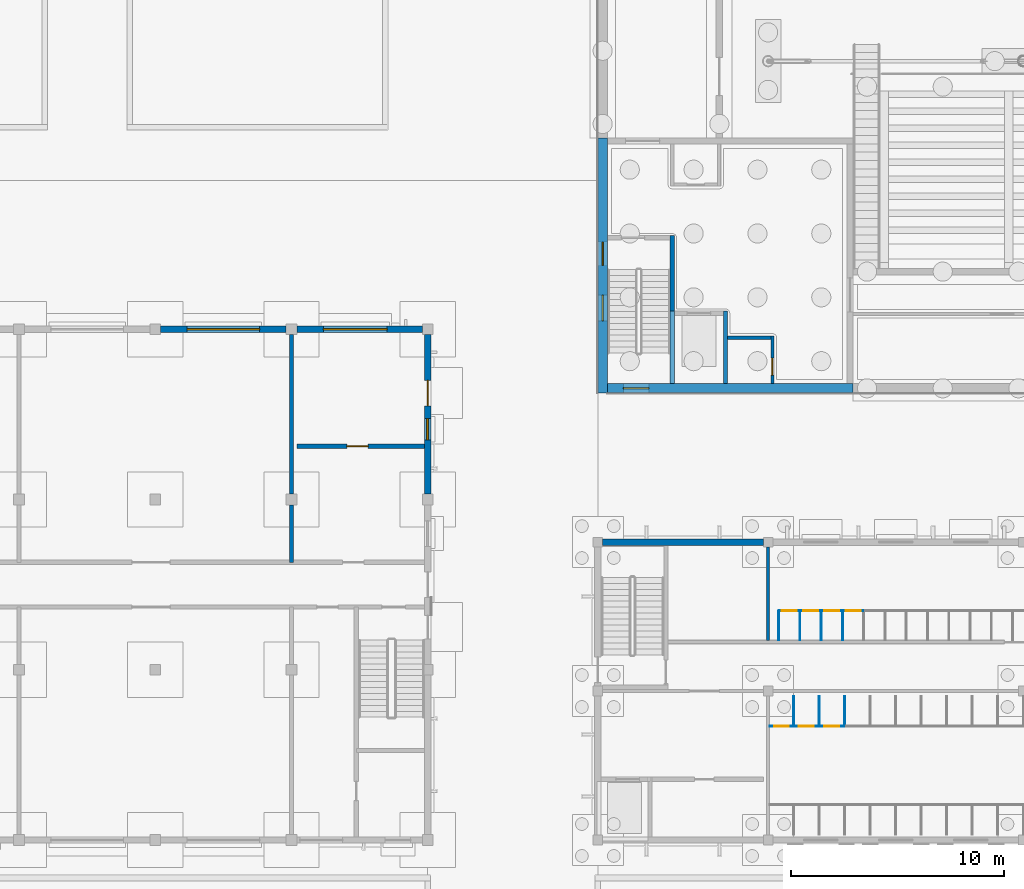
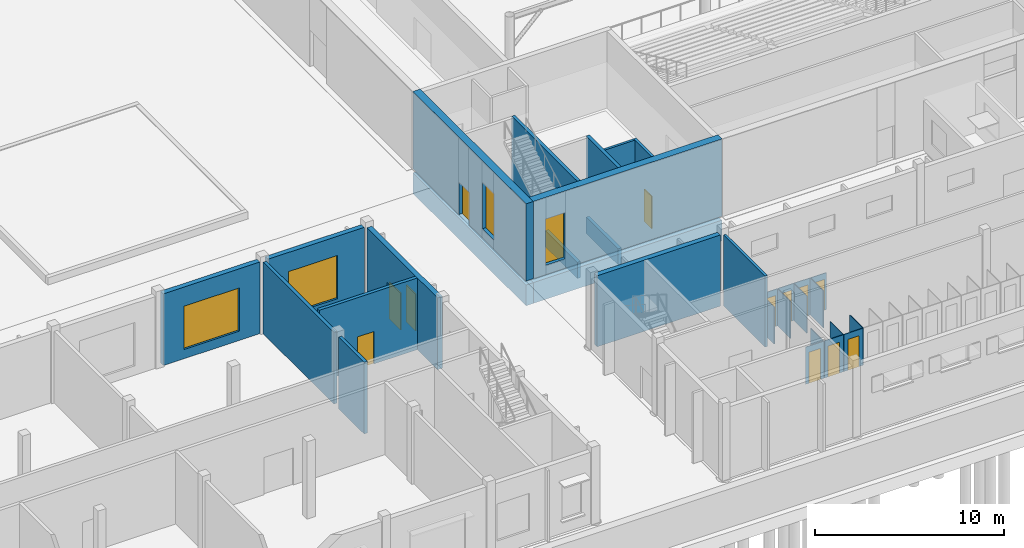
# One storey, part 76 of 157: 32 walls, 11 doors, 5 windows, 16 openings.
"""IFC4 building model written with IfcOpenShell, lengths in metres."""

from ifc_helpers import new_model, si_unit, direction, frame, frame_2d, origin, place, context, subcontext, project, spatial, rectangle, extrude, material, layer, layer_set, type_object, element, fill, save


model = new_model("IFC4")

# Units and contexts
model_context = context("Model", 3, precision=1e-05, world=origin(), true_north=direction((0.0, 1.0)))
body_context = subcontext(model_context, "Body", "Model", "MODEL_VIEW")
ifc_project = project(units=[si_unit("LENGTHUNIT", "METRE"), si_unit("AREAUNIT", "SQUARE_METRE"), si_unit("VOLUMEUNIT", "CUBIC_METRE"), si_unit("PLANEANGLEUNIT", "RADIAN"), si_unit("MASSUNIT", "GRAM", prefix="KILO")], contexts=[model_context])

# Site, building, storey
site_placement = place(None, origin())
site = spatial("IfcSite", under=ifc_project, at=site_placement, CompositionType="ELEMENT")
building_placement = place(site_placement, origin())
building = spatial("IfcBuilding", under=site, at=building_placement, Name="Windward Yard Aquatics Centre", CompositionType="ELEMENT")
storey_placement = place(building_placement, origin())
storey = spatial("IfcBuildingStorey", under=building, at=storey_placement, Name="L00", CompositionType="ELEMENT", Elevation=0.0)

# Walls
ifc_material_1 = material(Name="Concrete masonry unit plastered", Category="masonry")
ifc_layer_1 = layer(ifc_material_1, 0.14990234375)
ifc_layer_set_1 = layer_set([ifc_layer_1], Name="C block partition 150")
wall_type_1 = type_object("IfcWallType", Name="C block partition 150", PredefinedType="PARTITIONING", material=ifc_layer_set_1)
wall_1_placement = place(storey_placement, frame((60.0, 14.375, 0.0), z_axis=(0.0, 0.0, 1.0), x_axis=(0.0, 1.0, 0.0)))
element("IfcWall", 1, at=wall_1_placement, inside=storey, type_object=wall_type_1, Name="C.W.L00.ND.8.1", PredefinedType="PARTITIONING", context=body_context, shape_type="SweptSolid", body=[
    extrude(rectangle(XDim=4.39990234375, YDim=0.14990234375, at=frame_2d((2.199951171875, 0.0))), origin(), (0.0, 0.0, 1.0), 4.60009765625),
])
ifc_material_2 = material(Name="High-pressure laminate panel on stainless frame")
ifc_layer_2 = layer(ifc_material_2, 0.0400390625)
ifc_layer_set_2 = layer_set([ifc_layer_2], Name="C cubicle panel 40")
wall_type_2 = type_object("IfcWallType", Name="C cubicle panel 40", PredefinedType="PARTITIONING", material=ifc_layer_set_2)
for number, where, z_axis, x_axis, name in (
    (2, (61.199951171875, 11.75, 0.0), (0.0, 0.0, 1.0), (0.0, -1.0, 0.0), "C.W.L00.B.P1"),
    (3, (62.39990234375, 11.75, 0.0), (0.0, 0.0, 1.0), (0.0, -1.0, 0.0), "C.W.L00.B.P2"),
    (4, (63.60009765625, 11.75, 0.0), (0.0, 0.0, 1.0), (0.0, -1.0, 0.0), "C.W.L00.B.P3"),
):
    element("IfcWall", number, at=place(storey_placement, frame(where, z_axis=z_axis, x_axis=x_axis)), inside=storey, type_object=wall_type_2, Name=name, PredefinedType="PARTITIONING", context=body_context, shape_type="SweptSolid", body=[
        extrude(rectangle(XDim=1.39990234375, YDim=0.0400390625, at=frame_2d((0.699951171875, 0.0))), origin(), (0.0, 0.0, 1.0), 2.39990234375),
    ])

# Wall, opening, door
wall_2_placement = place(storey_placement, frame((60.074951171875, 10.35009765625, 0.0), z_axis=(0.0, 0.0, 1.0), x_axis=(1.0, 0.0, 0.0)))
wall_2 = element("IfcWall", 5, at=wall_2_placement, inside=storey, type_object=wall_type_2, Name="C.W.L00.B.F0", PredefinedType="PARTITIONING", context=body_context, shape_type="SweptSolid", body=[
    extrude(rectangle(XDim=1.10498046875, YDim=0.0400390625, at=frame_2d((0.552490234375, 0.0))), origin(), (0.0, 0.0, 1.0), 2.39990234375),
])
opening_1_placement = place(wall_2_placement, frame((0.202392578125, 0.0, 0.0)))
opening_1 = element("IfcOpeningElement", 6, at=opening_1_placement, cuts=wall_2, Name="Opening C0058", PredefinedType="OPENING", context=body_context, shape_type="SweptSolid", body=[
    extrude(rectangle(XDim=0.699951171875, YDim=2.0, at=frame_2d((0.35009765625, 1.0))), frame((0.0, 0.030029296875, 0.0), z_axis=(0.0, -1.0, 0.0), x_axis=(1.0, 0.0, 0.0)), (0.0, 0.0, 1.0), 0.06005859375),
])
ifc_material_3 = material(Name="High-pressure laminate door leaf")
door_type_1 = type_object("IfcDoorType", Name="C door 700X2000 NOT RATED", OperationType="SINGLE_SWING_LEFT", PredefinedType="DOOR", material=ifc_material_3)
door_1_placement = place(opening_1_placement, origin())
door_1 = element("IfcDoor", 7, at=door_1_placement, inside=storey, type_object=door_type_1, Name="Cubicle door B1", OperationType="SINGLE_SWING_LEFT", OverallHeight=2.0, OverallWidth=0.699951171875, PredefinedType="DOOR", context=body_context, shape_type="SweptSolid", body=[
    extrude(rectangle(XDim=0.699951171875, YDim=2.0, at=frame_2d((0.35009765625, 1.0))), frame((0.0, 0.019775390625, 0.0), z_axis=(0.0, -1.0, 0.0), x_axis=(1.0, 0.0, 0.0)), (0.0, 0.0, 1.0), 0.03955078125),
])
fill(opening_1, door_1)

wall_3_placement = place(storey_placement, frame((61.219970703125, 10.35009765625, 0.0), z_axis=(0.0, 0.0, 1.0), x_axis=(1.0, 0.0, 0.0)))
wall_3 = element("IfcWall", 8, at=wall_3_placement, inside=storey, type_object=wall_type_2, Name="C.W.L00.B.F1", PredefinedType="PARTITIONING", context=body_context, shape_type="SweptSolid", body=[
    extrude(rectangle(XDim=1.159912109375, YDim=0.0400390625, at=frame_2d((0.580078125, 0.0))), origin(), (0.0, 0.0, 1.0), 2.39990234375),
])
opening_2_placement = place(wall_3_placement, frame((0.22998046875, 0.0, 0.0)))
opening_2 = element("IfcOpeningElement", 9, at=opening_2_placement, cuts=wall_3, Name="Opening C0059", PredefinedType="OPENING", context=body_context, shape_type="SweptSolid", body=[
    extrude(rectangle(XDim=0.699951171875, YDim=2.0, at=frame_2d((0.35009765625, 1.0))), frame((0.0, 0.030029296875, 0.0), z_axis=(0.0, -1.0, 0.0), x_axis=(1.0, 0.0, 0.0)), (0.0, 0.0, 1.0), 0.06005859375),
])
door_2_placement = place(opening_2_placement, origin())
door_2 = element("IfcDoor", 10, at=door_2_placement, inside=storey, type_object=door_type_1, Name="Cubicle door B2", OperationType="SINGLE_SWING_LEFT", OverallHeight=2.0, OverallWidth=0.699951171875, PredefinedType="DOOR", context=body_context, shape_type="SweptSolid", body=[
    extrude(rectangle(XDim=0.699951171875, YDim=2.0, at=frame_2d((0.35009765625, 1.0))), frame((0.0, 0.019775390625, 0.0), z_axis=(0.0, -1.0, 0.0), x_axis=(1.0, 0.0, 0.0)), (0.0, 0.0, 1.0), 0.03955078125),
])
fill(opening_2, door_2)

wall_4_placement = place(storey_placement, frame((62.419921875, 10.35009765625, 0.0), z_axis=(0.0, 0.0, 1.0), x_axis=(1.0, 0.0, 0.0)))
wall_4 = element("IfcWall", 11, at=wall_4_placement, inside=storey, type_object=wall_type_2, Name="C.W.L00.B.F2", PredefinedType="PARTITIONING", context=body_context, shape_type="SweptSolid", body=[
    extrude(rectangle(XDim=1.16015625, YDim=0.0400390625, at=frame_2d((0.580078125, 0.0))), origin(), (0.0, 0.0, 1.0), 2.39990234375),
])
opening_3_placement = place(wall_4_placement, frame((0.22998046875, 0.0, 0.0)))
opening_3 = element("IfcOpeningElement", 12, at=opening_3_placement, cuts=wall_4, Name="Opening C0060", PredefinedType="OPENING", context=body_context, shape_type="SweptSolid", body=[
    extrude(rectangle(XDim=0.699951171875, YDim=2.0, at=frame_2d((0.35009765625, 1.0))), frame((0.0, 0.030029296875, 0.0), z_axis=(0.0, -1.0, 0.0), x_axis=(1.0, 0.0, 0.0)), (0.0, 0.0, 1.0), 0.06005859375),
])
door_3_placement = place(opening_3_placement, origin())
door_3 = element("IfcDoor", 13, at=door_3_placement, inside=storey, type_object=door_type_1, Name="Cubicle door B3", OperationType="SINGLE_SWING_LEFT", OverallHeight=2.0, OverallWidth=0.699951171875, PredefinedType="DOOR", context=body_context, shape_type="SweptSolid", body=[
    extrude(rectangle(XDim=0.699951171875, YDim=2.0, at=frame_2d((0.35009765625, 1.0))), frame((0.0, 0.019775390625, 0.0), z_axis=(0.0, -1.0, 0.0), x_axis=(1.0, 0.0, 0.0)), (0.0, 0.0, 1.0), 0.03955078125),
])
fill(opening_3, door_3)

# Walls
for number, where, z_axis, x_axis, name in (
    (14, (60.5, 14.375, 0.0), (0.0, 0.0, 1.0), (0.0, 1.0, 0.0), "C.W.L00.E.P0"),
    (15, (61.5, 14.375, 0.0), (0.0, 0.0, 1.0), (0.0, 1.0, 0.0), "C.W.L00.E.P1"),
    (16, (62.5, 14.375, 0.0), (0.0, 0.0, 1.0), (0.0, 1.0, 0.0), "C.W.L00.E.P2"),
    (17, (63.5, 14.375, 0.0), (0.0, 0.0, 1.0), (0.0, 1.0, 0.0), "C.W.L00.E.P3"),
):
    element("IfcWall", number, at=place(storey_placement, frame(where, z_axis=z_axis, x_axis=x_axis)), inside=storey, type_object=wall_type_2, Name=name, PredefinedType="PARTITIONING", context=body_context, shape_type="SweptSolid", body=[
        extrude(rectangle(XDim=1.39990234375, YDim=0.0400390625, at=frame_2d((0.699951171875, 0.0))), origin(), (0.0, 0.0, 1.0), 2.39990234375),
    ])

# Wall, opening, door
wall_5_placement = place(storey_placement, frame((60.52001953125, 15.77490234375, 0.0), z_axis=(0.0, 0.0, 1.0), x_axis=(1.0, 0.0, 0.0)))
wall_5 = element("IfcWall", 18, at=wall_5_placement, inside=storey, type_object=wall_type_2, Name="C.W.L00.E.F0", PredefinedType="PARTITIONING", context=body_context, shape_type="SweptSolid", body=[
    extrude(rectangle(XDim=0.9599609375, YDim=0.0400390625, at=frame_2d((0.47998046875, 0.0))), origin(), (0.0, 0.0, 1.0), 2.39990234375),
])
opening_4_placement = place(wall_5_placement, frame((0.1298828125, 0.0, 0.0)))
opening_4 = element("IfcOpeningElement", 19, at=opening_4_placement, cuts=wall_5, Name="Opening C0100", PredefinedType="OPENING", context=body_context, shape_type="SweptSolid", body=[
    extrude(rectangle(XDim=0.699951171875, YDim=2.0, at=frame_2d((0.35009765625, 1.0))), frame((0.0, 0.030029296875, 0.0), z_axis=(0.0, -1.0, 0.0), x_axis=(1.0, 0.0, 0.0)), (0.0, 0.0, 1.0), 0.06005859375),
])
door_4_placement = place(opening_4_placement, origin())
door_4 = element("IfcDoor", 20, at=door_4_placement, inside=storey, type_object=door_type_1, Name="Cubicle door E1", OperationType="SINGLE_SWING_LEFT", OverallHeight=2.0, OverallWidth=0.699951171875, PredefinedType="DOOR", context=body_context, shape_type="SweptSolid", body=[
    extrude(rectangle(XDim=0.699951171875, YDim=2.0, at=frame_2d((0.35009765625, 1.0))), frame((0.0, 0.019775390625, 0.0), z_axis=(0.0, -1.0, 0.0), x_axis=(1.0, 0.0, 0.0)), (0.0, 0.0, 1.0), 0.03955078125),
])
fill(opening_4, door_4)

wall_6_placement = place(storey_placement, frame((61.52001953125, 15.77490234375, 0.0), z_axis=(0.0, 0.0, 1.0), x_axis=(1.0, 0.0, 0.0)))
wall_6 = element("IfcWall", 21, at=wall_6_placement, inside=storey, type_object=wall_type_2, Name="C.W.L00.E.F1", PredefinedType="PARTITIONING", context=body_context, shape_type="SweptSolid", body=[
    extrude(rectangle(XDim=0.9599609375, YDim=0.0400390625, at=frame_2d((0.47998046875, 0.0))), origin(), (0.0, 0.0, 1.0), 2.39990234375),
])
opening_5_placement = place(wall_6_placement, frame((0.1298828125, 0.0, 0.0)))
opening_5 = element("IfcOpeningElement", 22, at=opening_5_placement, cuts=wall_6, Name="Opening C0101", PredefinedType="OPENING", context=body_context, shape_type="SweptSolid", body=[
    extrude(rectangle(XDim=0.699951171875, YDim=2.0, at=frame_2d((0.35009765625, 1.0))), frame((0.0, 0.030029296875, 0.0), z_axis=(0.0, -1.0, 0.0), x_axis=(1.0, 0.0, 0.0)), (0.0, 0.0, 1.0), 0.06005859375),
])
door_5_placement = place(opening_5_placement, origin())
door_5 = element("IfcDoor", 23, at=door_5_placement, inside=storey, type_object=door_type_1, Name="Cubicle door E2", OperationType="SINGLE_SWING_LEFT", OverallHeight=2.0, OverallWidth=0.699951171875, PredefinedType="DOOR", context=body_context, shape_type="SweptSolid", body=[
    extrude(rectangle(XDim=0.699951171875, YDim=2.0, at=frame_2d((0.35009765625, 1.0))), frame((0.0, 0.019775390625, 0.0), z_axis=(0.0, -1.0, 0.0), x_axis=(1.0, 0.0, 0.0)), (0.0, 0.0, 1.0), 0.03955078125),
])
fill(opening_5, door_5)

wall_7_placement = place(storey_placement, frame((62.52001953125, 15.77490234375, 0.0), z_axis=(0.0, 0.0, 1.0), x_axis=(1.0, 0.0, 0.0)))
wall_7 = element("IfcWall", 24, at=wall_7_placement, inside=storey, type_object=wall_type_2, Name="C.W.L00.E.F2", PredefinedType="PARTITIONING", context=body_context, shape_type="SweptSolid", body=[
    extrude(rectangle(XDim=0.9599609375, YDim=0.0400390625, at=frame_2d((0.47998046875, 0.0))), origin(), (0.0, 0.0, 1.0), 2.39990234375),
])
opening_6_placement = place(wall_7_placement, frame((0.1298828125, 0.0, 0.0)))
opening_6 = element("IfcOpeningElement", 25, at=opening_6_placement, cuts=wall_7, Name="Opening C0102", PredefinedType="OPENING", context=body_context, shape_type="SweptSolid", body=[
    extrude(rectangle(XDim=0.699951171875, YDim=2.0, at=frame_2d((0.35009765625, 1.0))), frame((0.0, 0.030029296875, 0.0), z_axis=(0.0, -1.0, 0.0), x_axis=(1.0, 0.0, 0.0)), (0.0, 0.0, 1.0), 0.06005859375),
])
door_6_placement = place(opening_6_placement, origin())
door_6 = element("IfcDoor", 26, at=door_6_placement, inside=storey, type_object=door_type_1, Name="Cubicle door E3", OperationType="SINGLE_SWING_LEFT", OverallHeight=2.0, OverallWidth=0.699951171875, PredefinedType="DOOR", context=body_context, shape_type="SweptSolid", body=[
    extrude(rectangle(XDim=0.699951171875, YDim=2.0, at=frame_2d((0.35009765625, 1.0))), frame((0.0, 0.019775390625, 0.0), z_axis=(0.0, -1.0, 0.0), x_axis=(1.0, 0.0, 0.0)), (0.0, 0.0, 1.0), 0.03955078125),
])
fill(opening_6, door_6)

wall_8_placement = place(storey_placement, frame((63.52001953125, 15.77490234375, 0.0), z_axis=(0.0, 0.0, 1.0), x_axis=(1.0, 0.0, 0.0)))
wall_8 = element("IfcWall", 27, at=wall_8_placement, inside=storey, type_object=wall_type_2, Name="C.W.L00.E.F3", PredefinedType="PARTITIONING", context=body_context, shape_type="SweptSolid", body=[
    extrude(rectangle(XDim=0.9599609375, YDim=0.0400390625, at=frame_2d((0.47998046875, 0.0))), origin(), (0.0, 0.0, 1.0), 2.39990234375),
])
opening_7_placement = place(wall_8_placement, frame((0.1298828125, 0.0, 0.0)))
opening_7 = element("IfcOpeningElement", 28, at=opening_7_placement, cuts=wall_8, Name="Opening C0103", PredefinedType="OPENING", context=body_context, shape_type="SweptSolid", body=[
    extrude(rectangle(XDim=0.699951171875, YDim=2.0, at=frame_2d((0.35009765625, 1.0))), frame((0.0, 0.030029296875, 0.0), z_axis=(0.0, -1.0, 0.0), x_axis=(1.0, 0.0, 0.0)), (0.0, 0.0, 1.0), 0.06005859375),
])
door_7_placement = place(opening_7_placement, origin())
door_7 = element("IfcDoor", 29, at=door_7_placement, inside=storey, type_object=door_type_1, Name="Cubicle door E4", OperationType="SINGLE_SWING_LEFT", OverallHeight=2.0, OverallWidth=0.699951171875, PredefinedType="DOOR", context=body_context, shape_type="SweptSolid", body=[
    extrude(rectangle(XDim=0.699951171875, YDim=2.0, at=frame_2d((0.35009765625, 1.0))), frame((0.0, 0.019775390625, 0.0), z_axis=(0.0, -1.0, 0.0), x_axis=(1.0, 0.0, 0.0)), (0.0, 0.0, 1.0), 0.03955078125),
])
fill(opening_7, door_7)

# Walls
ifc_material_4 = material(Name="Natural stone cladding", Category="masonry")
ifc_layer_3 = layer(ifc_material_4, 0.04, Name="Cladding")
ifc_material_5 = material(Name="Ventilated air cavity")
ifc_layer_4 = layer(ifc_material_5, 0.04, ventilated=True, Name="Ventilated cavity")
ifc_material_6 = material(Name="Mineral wool insulation")
ifc_layer_5 = layer(ifc_material_6, 0.06, Name="Insulation")
ifc_material_7 = material(Name="Concrete C35/45", Category="concrete")
ifc_layer_6 = layer(ifc_material_7, 0.16, Name="Structure")
ifc_layer_set_3 = layer_set([ifc_layer_3, ifc_layer_4, ifc_layer_5, ifc_layer_6], Name="C stone-faced external wall 300")
wall_type_3 = type_object("IfcWallType", Name="C stone-faced external wall 300", PredefinedType="ELEMENTEDWALL", material=ifc_layer_set_3)
wall_9_placement = place(storey_placement, frame((52.22509765625, 19.0, 0.0), z_axis=(0.0, 0.0, 1.0), x_axis=(1.0, 0.0, 0.0)))
element("IfcWall", 30, at=wall_9_placement, inside=storey, type_object=wall_type_3, Name="C.W.L00.N1", PredefinedType="ELEMENTEDWALL", context=body_context, shape_type="SweptSolid", body=[
    extrude(rectangle(XDim=7.5498046875, YDim=0.300048828125, at=frame_2d((3.77490234375, 0.0))), origin(), (0.0, 0.0, 1.0), 4.60009765625),
])
ifc_layer_7 = layer(ifc_material_7, 0.199951171875)
ifc_layer_set_4 = layer_set([ifc_layer_7], Name="H Enclosure Wall Concrete C35/45 200")
wall_type_4 = type_object("IfcWallType", Name="H Enclosure Wall Concrete C35/45 200", PredefinedType="SOLIDWALL", material=ifc_layer_set_4)
wall_10_placement = place(storey_placement, frame((55.5, 26.449951171875, 0.0), z_axis=(0.0, 0.0, 1.0), x_axis=(0.0, 1.0, 0.0)))
element("IfcWall", 31, at=wall_10_placement, inside=storey, type_object=wall_type_4, Name="L00 W1 enclosure wall SW", PredefinedType="SOLIDWALL", context=body_context, shape_type="SweptSolid", body=[
    extrude(rectangle(XDim=6.949951171875, YDim=0.199951171875, at=frame_2d((3.47509765625, 0.0))), origin(), (0.0, 0.0, 1.0), 5.0),
])
wall_11_placement = place(storey_placement, frame((58.0, 26.449951171875, 0.0), z_axis=(0.0, 0.0, 1.0), x_axis=(0.0, 1.0, 0.0)))
element("IfcWall", 32, at=wall_11_placement, inside=storey, type_object=wall_type_4, Name="L00 W3 enclosure wall SW", PredefinedType="SOLIDWALL", context=body_context, shape_type="SweptSolid", body=[
    extrude(rectangle(XDim=3.400146484375, YDim=0.199951171875, at=frame_2d((1.7001953125, 0.0))), origin(), (0.0, 0.0, 1.0), 5.0),
])
ifc_layer_8 = layer(ifc_material_7, 0.199951171875)
ifc_layer_set_5 = layer_set([ifc_layer_8], Name="H Lift Pit Wall Concrete C35/45 200")
wall_type_5 = type_object("IfcWallType", Name="H Lift Pit Wall Concrete C35/45 200", PredefinedType="SOLIDWALL", material=ifc_layer_set_5)
for number, where, z_axis, x_axis, name in (
    (33, (55.5, 26.449951171875, -1.300048828125), (0.0, 0.0, 1.0), (0.0, 1.0, 0.0), "Lift pit wall P1 SW"),
    (34, (58.0, 26.449951171875, -1.300048828125), (0.0, 0.0, 1.0), (0.0, 1.0, 0.0), "Lift pit wall P3 SW"),
):
    element("IfcWall", number, at=place(storey_placement, frame(where, z_axis=z_axis, x_axis=x_axis)), inside=storey, type_object=wall_type_5, Name=name, PredefinedType="SOLIDWALL", context=body_context, shape_type="SweptSolid", body=[
        extrude(rectangle(XDim=3.400146484375, YDim=0.199951171875, at=frame_2d((1.7001953125, 0.0))), origin(), (0.0, 0.0, 1.0), 1.050048828125),
    ])
ifc_material_8 = material(Name="Blockwork 150 mm", Category="masonry")
ifc_layer_9 = layer(ifc_material_8, 0.14990234375)
ifc_layer_set_6 = layer_set([ifc_layer_9], Name="H Partition Blockwork 150")
wall_type_6 = type_object("IfcWallType", Name="H Partition Blockwork 150", PredefinedType="PARTITIONING", material=ifc_layer_set_6)
wall_12_placement = place(storey_placement, frame((58.10009765625, 28.60009765625, 0.0), z_axis=(0.0, 0.0, 1.0), x_axis=(1.0, 0.0, 0.0)))
element("IfcWall", 35, at=wall_12_placement, inside=storey, type_object=wall_type_6, Name="L00 R1N riser wall SW", PredefinedType="PARTITIONING", context=body_context, shape_type="SweptSolid", body=[
    extrude(rectangle(XDim=2.02490234375, YDim=0.14990234375, at=frame_2d((1.012451171875, 0.0))), origin(), (0.0, 0.0, 1.0), 4.75),
])

# Wall, opening, door
wall_13_placement = place(storey_placement, frame((60.199951171875, 26.449951171875, 0.0), z_axis=(0.0, 0.0, 1.0), x_axis=(0.0, 1.0, 0.0)))
wall_13 = element("IfcWall", 36, at=wall_13_placement, inside=storey, type_object=wall_type_6, Name="L00 R1E riser wall SW", PredefinedType="PARTITIONING", context=body_context, shape_type="SweptSolid", body=[
    extrude(rectangle(XDim=2.22509765625, YDim=0.14990234375, at=frame_2d((1.112548828125, 0.0))), origin(), (0.0, 0.0, 1.0), 4.75),
])
opening_8_placement = place(wall_13_placement, frame((0.39990234375, 0.0, 0.0)))
opening_8 = element("IfcOpeningElement", 37, at=opening_8_placement, cuts=wall_13, Name="Opening H0003", PredefinedType="OPENING", context=body_context, shape_type="SweptSolid", body=[
    extrude(rectangle(XDim=0.800048828125, YDim=2.10009765625, at=frame_2d((0.39990234375, 1.050048828125))), frame((0.0, 0.0849609375, 0.0), z_axis=(0.0, -1.0, 0.0), x_axis=(1.0, 0.0, 0.0)), (0.0, 0.0, 1.0), 0.169921875),
])
ifc_material_9 = material(Name="Steel and timber door leaf", Category="steel")
door_type_2 = type_object("IfcDoorType", Name="H Door Riser 800 x 2100 FD60", OperationType="NOTDEFINED", PredefinedType="DOOR", material=ifc_material_9)
door_8_placement = place(opening_8_placement, origin())
door_8 = element("IfcDoor", 38, at=door_8_placement, inside=storey, type_object=door_type_2, Name="L00 electrical riser SW door", OperationType="SINGLE_SWING_RIGHT", OverallHeight=2.10009765625, OverallWidth=0.800048828125, PredefinedType="DOOR", context=body_context, shape_type="SweptSolid", body=[
    extrude(rectangle(XDim=0.800048828125, YDim=2.10009765625, at=frame_2d((0.39990234375, 1.050048828125))), frame((0.0, 0.02490234375, 0.0), z_axis=(0.0, -1.0, 0.0), x_axis=(1.0, 0.0, 0.0)), (0.0, 0.0, 1.0), 0.050048828125),
])
fill(opening_8, door_8)

# Wall
ifc_layer_10 = layer(ifc_material_4, 0.04, Name="Cladding")
ifc_layer_11 = layer(ifc_material_5, 0.05, ventilated=True, Name="Ventilated cavity")
ifc_layer_12 = layer(ifc_material_6, 0.08, Name="Insulation")
ifc_layer_13 = layer(ifc_material_7, 0.28, Name="Structure")
ifc_layer_set_7 = layer_set([ifc_layer_10, ifc_layer_11, ifc_layer_12, ifc_layer_13], Name="H plinth wall stone faced 450 C35/45")
wall_type_7 = type_object("IfcWallType", Name="H plinth wall stone faced 450 C35/45", PredefinedType="ELEMENTEDWALL", material=ifc_layer_set_7)
wall_14_placement = place(storey_placement, frame((52.22509765625, 26.0, -1.60009765625), z_axis=(0.0, 0.0, 1.0), x_axis=(0.0, 1.0, 0.0)))
element("IfcWall", 39, at=wall_14_placement, inside=storey, type_object=wall_type_7, Name="H.CW.SW.W.PIT", PredefinedType="ELEMENTEDWALL", context=body_context, shape_type="SweptSolid", body=[
    extrude(rectangle(XDim=12.0, YDim=0.449951171875, at=frame_2d((6.0, 0.0))), origin(), (0.0, 0.0, 1.0), 1.35009765625),
])

# Wall, openings, window, door
wall_15_placement = place(storey_placement, frame((52.22509765625, 26.0, 0.0), z_axis=(0.0, 0.0, 1.0), x_axis=(0.0, 1.0, 0.0)))
wall_15 = element("IfcWall", 40, at=wall_15_placement, inside=storey, type_object=wall_type_7, Name="H.CW.SW.W.L00", PredefinedType="ELEMENTEDWALL", context=body_context, shape_type="SweptSolid", body=[
    extrude(rectangle(XDim=12.0, YDim=0.449951171875, at=frame_2d((6.0, 0.0))), origin(), (0.0, 0.0, 1.0), 5.0),
])
opening_9_placement = place(wall_15_placement, frame((6.0, 0.0, 0.0)))
opening_9 = element("IfcOpeningElement", 41, at=opening_9_placement, cuts=wall_15, Name="Opening H0007", PredefinedType="OPENING", context=body_context, shape_type="SweptSolid", body=[
    extrude(rectangle(XDim=1.10009765625, YDim=2.10009765625, at=frame_2d((0.550048828125, 1.050048828125))), frame((0.0, 0.23486328125, 0.0), z_axis=(0.0, -1.0, 0.0), x_axis=(1.0, 0.0, 0.0)), (0.0, 0.0, 1.0), 0.469970703125),
])
opening_10_placement = place(wall_15_placement, frame((3.39990234375, 0.0, 0.60009765625)))
opening_10 = element("IfcOpeningElement", 42, at=opening_10_placement, cuts=wall_15, Name="Opening W0102", PredefinedType="OPENING", context=body_context, shape_type="SweptSolid", body=[
    extrude(rectangle(XDim=1.199951171875, YDim=3.0, at=frame_2d((0.60009765625, 1.5))), frame((0.0, 0.23486328125, 0.0), z_axis=(0.0, -1.0, 0.0), x_axis=(1.0, 0.0, 0.0)), (0.0, 0.0, 1.0), 0.469970703125),
])
ifc_material_10 = material(Name="Fire-resisting glazing in steel frame", Category="steel")
window_type_1 = type_object("IfcWindowType", Name="H Core Stair Window 1200 x 3000 EI 60", PartitioningType="SINGLE_PANEL", PredefinedType="WINDOW", material=ifc_material_10)
window_1_placement = place(opening_10_placement, origin())
window_1 = element("IfcWindow", 43, at=window_1_placement, inside=storey, type_object=window_type_1, Name="L00 core SW stair window", OverallHeight=3.0, OverallWidth=1.199951171875, PartitioningType="SINGLE_PANEL", PredefinedType="WINDOW", context=body_context, shape_type="SweptSolid", body=[
    extrude(rectangle(XDim=1.199951171875, YDim=3.0, at=frame_2d((0.60009765625, 1.5))), frame((0.0, 0.030029296875, 0.0), z_axis=(0.0, -1.0, 0.0), x_axis=(1.0, 0.0, 0.0)), (0.0, 0.0, 1.0), 0.06005859375),
])
fill(opening_10, window_1)
door_type_3 = type_object("IfcDoorType", Name="H Door Single 1100 x 2100 FD60", OperationType="NOTDEFINED", PredefinedType="DOOR", material=ifc_material_9)
door_9_placement = place(opening_9_placement, origin())
door_9 = element("IfcDoor", 44, at=door_9_placement, inside=storey, type_object=door_type_3, Name="Stair SW exit door", OperationType="SINGLE_SWING_LEFT", OverallHeight=2.10009765625, OverallWidth=1.10009765625, PredefinedType="DOOR", context=body_context, shape_type="SweptSolid", body=[
    extrude(rectangle(XDim=1.10009765625, YDim=2.10009765625, at=frame_2d((0.550048828125, 1.050048828125))), frame((0.0, 0.02490234375, 0.0), z_axis=(0.0, -1.0, 0.0), x_axis=(1.0, 0.0, 0.0)), (0.0, 0.0, 1.0), 0.050048828125),
])
fill(opening_9, door_9)

# Wall
wall_16_placement = place(storey_placement, frame((52.449951171875, 26.22509765625, -1.60009765625), z_axis=(0.0, 0.0, 1.0), x_axis=(1.0, 0.0, 0.0)))
element("IfcWall", 45, at=wall_16_placement, inside=storey, type_object=wall_type_7, Name="H.CW.SW.S.PIT", PredefinedType="ELEMENTEDWALL", context=body_context, shape_type="SweptSolid", body=[
    extrude(rectangle(XDim=11.550048828125, YDim=0.449951171875, at=frame_2d((5.77490234375, 0.0))), origin(), (0.0, 0.0, 1.0), 1.35009765625),
])

# Wall, opening, window
wall_17_placement = place(storey_placement, frame((52.449951171875, 26.22509765625, 0.0), z_axis=(0.0, 0.0, 1.0), x_axis=(1.0, 0.0, 0.0)))
wall_17 = element("IfcWall", 46, at=wall_17_placement, inside=storey, type_object=wall_type_7, Name="H.CW.SW.S.L00", PredefinedType="ELEMENTEDWALL", context=body_context, shape_type="SweptSolid", body=[
    extrude(rectangle(XDim=11.550048828125, YDim=0.449951171875, at=frame_2d((5.77490234375, 0.0))), origin(), (0.0, 0.0, 1.0), 5.0),
])
opening_11_placement = place(wall_17_placement, frame((0.75, 0.0, 0.60009765625)))
opening_11 = element("IfcOpeningElement", 47, at=opening_11_placement, cuts=wall_17, Name="Opening W0103", PredefinedType="OPENING", context=body_context, shape_type="SweptSolid", body=[
    extrude(rectangle(XDim=1.199951171875, YDim=3.0, at=frame_2d((0.60009765625, 1.5))), frame((0.0, 0.23486328125, 0.0), z_axis=(0.0, -1.0, 0.0), x_axis=(1.0, 0.0, 0.0)), (0.0, 0.0, 1.0), 0.469970703125),
])
window_2_placement = place(opening_11_placement, origin())
window_2 = element("IfcWindow", 48, at=window_2_placement, inside=storey, type_object=window_type_1, Name="L00 core SW stair window", OverallHeight=3.0, OverallWidth=1.199951171875, PartitioningType="SINGLE_PANEL", PredefinedType="WINDOW", context=body_context, shape_type="SweptSolid", body=[
    extrude(rectangle(XDim=1.199951171875, YDim=3.0, at=frame_2d((0.60009765625, 1.5))), frame((0.0, 0.030029296875, 0.0), z_axis=(0.0, -1.0, 0.0), x_axis=(1.0, 0.0, 0.0)), (0.0, 0.0, 1.0), 0.06005859375),
])
fill(opening_11, window_2)

# Wall, opening, door
ifc_layer_14 = layer(ifc_material_1, 0.199951171875)
ifc_layer_set_8 = layer_set([ifc_layer_14], Name="P masonry partition 200")
wall_type_8 = type_object("IfcWallType", Name="P masonry partition 200", PredefinedType="PARTITIONING", material=ifc_layer_set_8)
wall_18_placement = place(storey_placement, frame((37.85009765625, 23.5, 0.0), z_axis=(0.0, 0.0, 1.0), x_axis=(1.0, 0.0, 0.0)))
wall_18 = element("IfcWall", 49, at=wall_18_placement, inside=storey, type_object=wall_type_8, Name="P.W.L00.H3.1", PredefinedType="PARTITIONING", context=body_context, shape_type="SweptSolid", body=[
    extrude(rectangle(XDim=6.0, YDim=0.199951171875, at=frame_2d((3.0, 0.0))), origin(), (0.0, 0.0, 1.0), 4.639892578125),
])
opening_12_placement = place(wall_18_placement, frame((2.35009765625, 0.0, 0.0)))
opening_12 = element("IfcOpeningElement", 50, at=opening_12_placement, cuts=wall_18, Name="Opening P0016", PredefinedType="OPENING", context=body_context, shape_type="SweptSolid", body=[
    extrude(rectangle(XDim=1.0, YDim=2.10009765625, at=frame_2d((0.5, 1.050048828125))), frame((0.0, 0.10986328125, 0.0), z_axis=(0.0, -1.0, 0.0), x_axis=(1.0, 0.0, 0.0)), (0.0, 0.0, 1.0), 0.219970703125),
])
ifc_material_11 = material(Name="Timber door leaf in steel frame", Category="steel")
door_type_4 = type_object("IfcDoorType", Name="P door 1000X2100 FD60", OperationType="SINGLE_SWING_LEFT", PredefinedType="DOOR", material=ifc_material_11)
door_10_placement = place(opening_12_placement, origin())
door_10 = element("IfcDoor", 51, at=door_10_placement, inside=storey, type_object=door_type_4, Name="Door P0016", OperationType="SINGLE_SWING_LEFT", OverallHeight=2.10009765625, OverallWidth=1.0, PredefinedType="DOOR", context=body_context, shape_type="SweptSolid", body=[
    extrude(rectangle(XDim=1.0, YDim=2.10009765625, at=frame_2d((0.5, 1.050048828125))), frame((0.0, 0.02490234375, 0.0), z_axis=(0.0, -1.0, 0.0), x_axis=(1.0, 0.0, 0.0)), (0.0, 0.0, 1.0), 0.050048828125),
])
fill(opening_12, door_10)

# Walls
wall_19_placement = place(storey_placement, frame((37.60009765625, 18.050048828125, 0.0), z_axis=(0.0, 0.0, 1.0), x_axis=(0.0, 1.0, 0.0)))
element("IfcWall", 52, at=wall_19_placement, inside=storey, type_object=wall_type_8, Name="P.W.L00.V6.1", PredefinedType="PARTITIONING", context=body_context, shape_type="SweptSolid", body=[
    extrude(rectangle(XDim=2.699951171875, YDim=0.199951171875, at=frame_2d((1.35009765625, 0.0))), origin(), (0.0, 0.0, 1.0), 4.639892578125),
])
wall_20_placement = place(storey_placement, frame((37.60009765625, 21.25, 0.0), z_axis=(0.0, 0.0, 1.0), x_axis=(0.0, 1.0, 0.0)))
element("IfcWall", 53, at=wall_20_placement, inside=storey, type_object=wall_type_8, Name="P.W.L00.V6.2", PredefinedType="PARTITIONING", context=body_context, shape_type="SweptSolid", body=[
    extrude(rectangle(XDim=7.5, YDim=0.199951171875, at=frame_2d((3.75, 0.0))), origin(), (0.0, 0.0, 1.0), 4.639892578125),
])

# Wall, opening, window
ifc_layer_15 = layer(ifc_material_7, 0.300048828125)
ifc_layer_set_9 = layer_set([ifc_layer_15], Name="P plant external wall 300")
wall_type_9 = type_object("IfcWallType", Name="P plant external wall 300", PredefinedType="SOLIDWALL", material=ifc_layer_set_9)
wall_21_placement = place(storey_placement, frame((31.449951171875, 29.0, 0.0), z_axis=(0.0, 0.0, 1.0), x_axis=(1.0, 0.0, 0.0)))
wall_21 = element("IfcWall", 54, at=wall_21_placement, inside=storey, type_object=wall_type_9, Name="P.W.L00.N4", PredefinedType="SOLIDWALL", context=body_context, shape_type="SweptSolid", body=[
    extrude(rectangle(XDim=5.900146484375, YDim=0.300048828125, at=frame_2d((2.9501953125, 0.0))), origin(), (0.0, 0.0, 1.0), 4.639892578125),
])
opening_13_placement = place(wall_21_placement, frame((1.25, 0.0, 0.60009765625)))
opening_13 = element("IfcOpeningElement", 55, at=opening_13_placement, cuts=wall_21, Name="Opening PW0007", PredefinedType="OPENING", context=body_context, shape_type="SweptSolid", body=[
    extrude(rectangle(XDim=3.39990234375, YDim=2.800048828125, at=frame_2d((1.699951171875, 1.39990234375))), frame((0.0, 0.16015625, 0.0), z_axis=(0.0, -1.0, 0.0), x_axis=(1.0, 0.0, 0.0)), (0.0, 0.0, 1.0), 0.320068359375),
])
ifc_material_12 = material(Name="Aluminium storm louvre", Category="aluminium")
window_type_2 = type_object("IfcWindowType", Name="P louvre 3400X2800", PartitioningType="NOTDEFINED", PredefinedType="USERDEFINED", material=ifc_material_12)
window_3_placement = place(opening_13_placement, origin())
window_3 = element("IfcWindow", 56, at=window_3_placement, inside=storey, type_object=window_type_2, Name="Louvre PW0007", ObjectType="STORM LOUVRE", OverallHeight=2.800048828125, OverallWidth=3.39990234375, PartitioningType="SINGLE_PANEL", PredefinedType="USERDEFINED", context=body_context, shape_type="SweptSolid", body=[
    extrude(rectangle(XDim=3.39990234375, YDim=2.800048828125, at=frame_2d((1.699951171875, 1.39990234375))), frame((0.0, 0.030029296875, 0.0), z_axis=(0.0, -1.0, 0.0), x_axis=(1.0, 0.0, 0.0)), (0.0, 0.0, 1.0), 0.06005859375),
])
fill(opening_13, window_3)

wall_22_placement = place(storey_placement, frame((37.85009765625, 29.0, 0.0), z_axis=(0.0, 0.0, 1.0), x_axis=(1.0, 0.0, 0.0)))
wall_22 = element("IfcWall", 57, at=wall_22_placement, inside=storey, type_object=wall_type_9, Name="P.W.L00.N5", PredefinedType="SOLIDWALL", context=body_context, shape_type="SweptSolid", body=[
    extrude(rectangle(XDim=5.89990234375, YDim=0.300048828125, at=frame_2d((2.949951171875, 0.0))), origin(), (0.0, 0.0, 1.0), 4.639892578125),
])
opening_14_placement = place(wall_22_placement, frame((1.25, 0.0, 0.60009765625)))
opening_14 = element("IfcOpeningElement", 58, at=opening_14_placement, cuts=wall_22, Name="Opening PW0008", PredefinedType="OPENING", context=body_context, shape_type="SweptSolid", body=[
    extrude(rectangle(XDim=3.0, YDim=2.800048828125, at=frame_2d((1.5, 1.39990234375))), frame((0.0, 0.16015625, 0.0), z_axis=(0.0, -1.0, 0.0), x_axis=(1.0, 0.0, 0.0)), (0.0, 0.0, 1.0), 0.320068359375),
])
window_type_3 = type_object("IfcWindowType", Name="P louvre 3000X2800", PartitioningType="NOTDEFINED", PredefinedType="USERDEFINED", material=ifc_material_12)
window_4_placement = place(opening_14_placement, origin())
window_4 = element("IfcWindow", 59, at=window_4_placement, inside=storey, type_object=window_type_3, Name="Louvre PW0008", ObjectType="STORM LOUVRE", OverallHeight=2.800048828125, OverallWidth=3.0, PartitioningType="SINGLE_PANEL", PredefinedType="USERDEFINED", context=body_context, shape_type="SweptSolid", body=[
    extrude(rectangle(XDim=3.0, YDim=2.800048828125, at=frame_2d((1.5, 1.39990234375))), frame((0.0, 0.030029296875, 0.0), z_axis=(0.0, -1.0, 0.0), x_axis=(1.0, 0.0, 0.0)), (0.0, 0.0, 1.0), 0.06005859375),
])
fill(opening_14, window_4)

# Wall, openings, window, door
wall_23_placement = place(storey_placement, frame((44.0, 21.25, 0.0), z_axis=(0.0, 0.0, 1.0), x_axis=(0.0, 1.0, 0.0)))
wall_23 = element("IfcWall", 60, at=wall_23_placement, inside=storey, type_object=wall_type_9, Name="P.W.L00.E3", PredefinedType="SOLIDWALL", context=body_context, shape_type="SweptSolid", body=[
    extrude(rectangle(XDim=7.5, YDim=0.300048828125, at=frame_2d((3.75, 0.0))), origin(), (0.0, 0.0, 1.0), 4.639892578125),
])
opening_15_placement = place(wall_23_placement, frame((5.349853515625, 0.0, 0.0), z_axis=(0.0, 0.0, 1.0), x_axis=(-1.0, 0.0, 0.0)))
opening_15 = element("IfcOpeningElement", 61, at=opening_15_placement, cuts=wall_23, Name="Opening P0005", PredefinedType="OPENING", context=body_context, shape_type="SweptSolid", body=[
    extrude(rectangle(XDim=1.199951171875, YDim=2.39990234375, at=frame_2d((0.60009765625, 1.199951171875))), frame((0.0, 0.16015625, 0.0), z_axis=(0.0, -1.0, 0.0), x_axis=(1.0, 0.0, 0.0)), (0.0, 0.0, 1.0), 0.320068359375),
])
opening_16_placement = place(wall_23_placement, frame((2.550048828125, 0.0, 0.89990234375)))
opening_16 = element("IfcOpeningElement", 62, at=opening_16_placement, cuts=wall_23, Name="Opening PW0010", PredefinedType="OPENING", context=body_context, shape_type="SweptSolid", body=[
    extrude(rectangle(XDim=1.0, YDim=2.39990234375, at=frame_2d((0.5, 1.199951171875))), frame((0.0, 0.16015625, 0.0), z_axis=(0.0, -1.0, 0.0), x_axis=(1.0, 0.0, 0.0)), (0.0, 0.0, 1.0), 0.320068359375),
])
window_type_4 = type_object("IfcWindowType", Name="P louvre 1000X2400", PartitioningType="NOTDEFINED", PredefinedType="USERDEFINED", material=ifc_material_12)
window_5_placement = place(opening_16_placement, origin())
window_5 = element("IfcWindow", 63, at=window_5_placement, inside=storey, type_object=window_type_4, Name="Louvre PW0010", ObjectType="STORM LOUVRE", OverallHeight=2.39990234375, OverallWidth=1.0, PartitioningType="SINGLE_PANEL", PredefinedType="USERDEFINED", context=body_context, shape_type="SweptSolid", body=[
    extrude(rectangle(XDim=1.0, YDim=2.39990234375, at=frame_2d((0.5, 1.199951171875))), frame((0.0, 0.030029296875, 0.0), z_axis=(0.0, -1.0, 0.0), x_axis=(1.0, 0.0, 0.0)), (0.0, 0.0, 1.0), 0.06005859375),
])
fill(opening_16, window_5)
ifc_material_13 = material(Name="Steel door leaf in steel frame", Category="steel")
door_type_5 = type_object("IfcDoorType", Name="P steel door 1200X2400 FD60", OperationType="SINGLE_SWING_LEFT", PredefinedType="DOOR", material=ifc_material_13)
door_11_placement = place(opening_15_placement, origin())
door_11 = element("IfcDoor", 64, at=door_11_placement, inside=storey, type_object=door_type_5, Name="Generator room exit door", OperationType="SINGLE_SWING_LEFT", OverallHeight=2.39990234375, OverallWidth=1.199951171875, PredefinedType="DOOR", context=body_context, shape_type="SweptSolid", body=[
    extrude(rectangle(XDim=1.199951171875, YDim=2.39990234375, at=frame_2d((0.60009765625, 1.199951171875))), frame((0.0, 0.02490234375, 0.0), z_axis=(0.0, -1.0, 0.0), x_axis=(1.0, 0.0, 0.0)), (0.0, 0.0, 1.0), 0.050048828125),
])
fill(opening_15, door_11)

save(model, "model.ifc")
